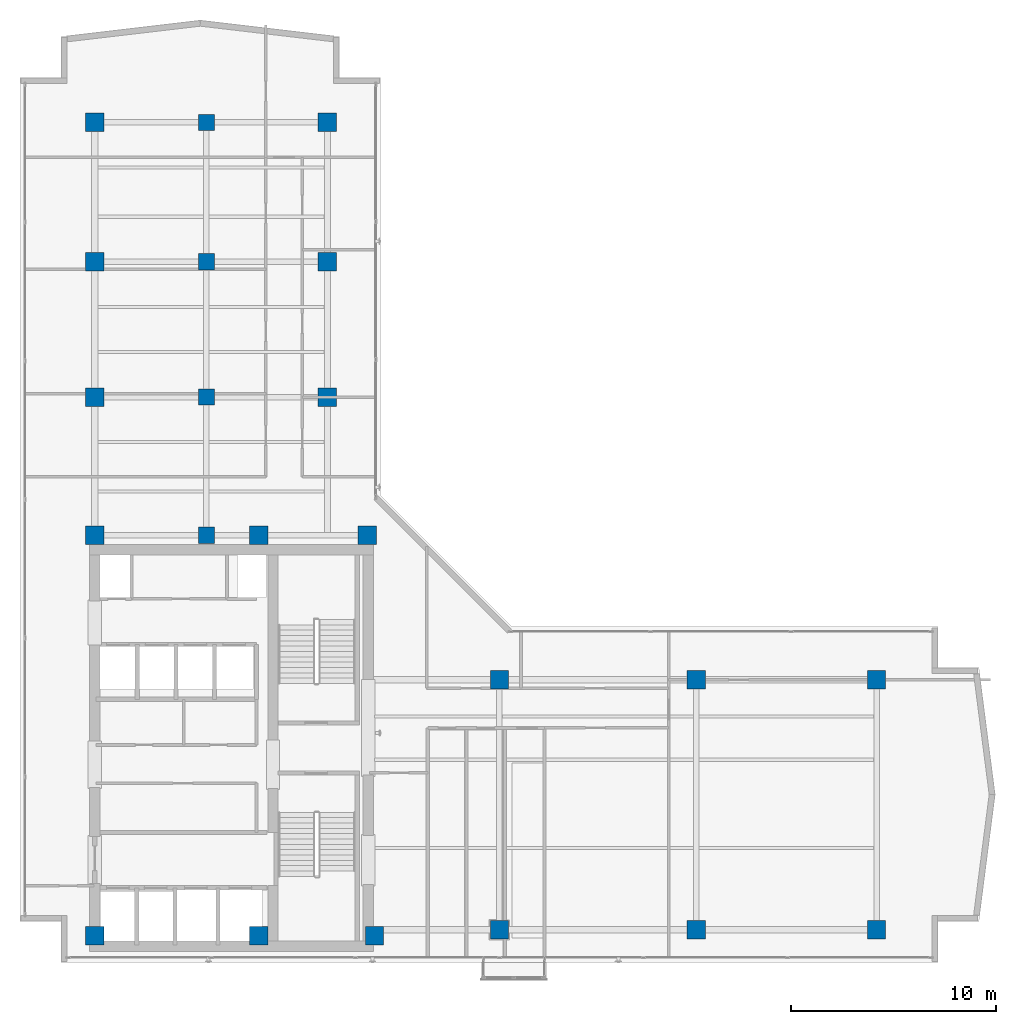
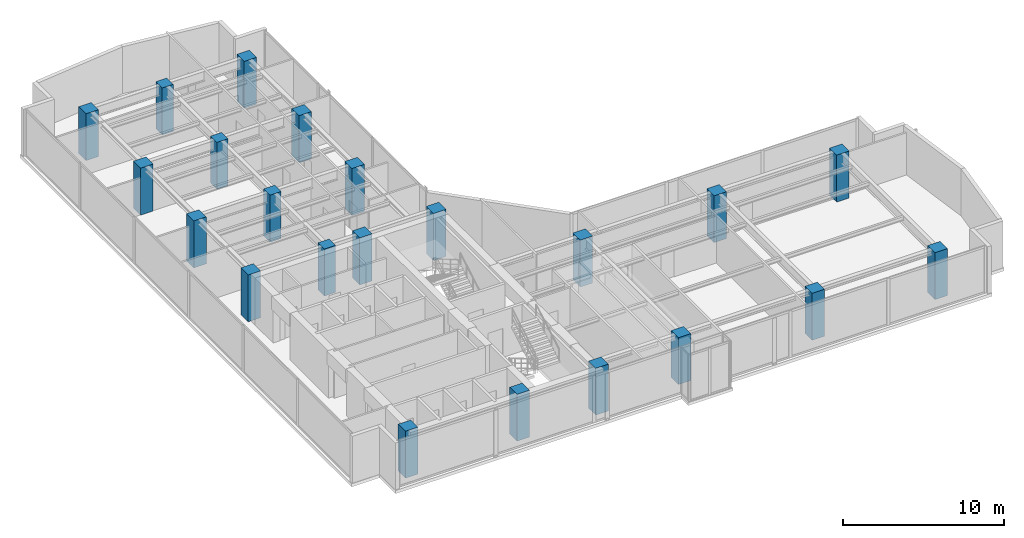
# One storey, part 1 of 22: 22 columns.
"""IFC4 building model written with IfcOpenShell, lengths in metres."""

import ifcopenshell
import ifcopenshell.guid

model = None  # the IFC model being written
_history = None  # IfcOwnerHistory: only IFC2X3 demands one
_inside = {}  # id of a spatial element -> (the spatial element, [elements in it])
_under = {}  # id of a project, library or spatial element -> (it, [spatial elements below it])
_declared = {}  # id of a project -> (the project, [libraries it declares])
_typed = {}  # id of a type object -> (the type object, [elements of that type])
_made_of = {}  # id of a material, layer set ... -> (it, [elements and type objects made of it])


def new_model(schema):
    """Start an empty IFC model of exactly this schema.

    Asked for "IFC4X3", IfcOpenShell would pick the latest addendum, in which some entities
    have other attributes; the version numbers below select the first issue.
    IFC2X3 requires an IfcOwnerHistory on every rooted entity: one is made here for all.
    """
    global model, _history
    if schema == "IFC4X3":
        model = ifcopenshell.file(schema_version=(4, 3, 0, 0))
    else:
        model = ifcopenshell.file(schema=schema)
    _inside.clear()
    _under.clear()
    _declared.clear()
    _typed.clear()
    _made_of.clear()
    _history = None
    if model.schema == "IFC2X3":
        org = make("IfcOrganization", Name="unknown")
        user = make(
            "IfcPersonAndOrganization",
            ThePerson=make("IfcPerson", FamilyName="unknown"),
            TheOrganization=org,
        )
        app = make(
            "IfcApplication",
            ApplicationDeveloper=org,
            Version="unknown",
            ApplicationFullName="unknown",
            ApplicationIdentifier="unknown",
        )
        _history = make(
            "IfcOwnerHistory",
            OwningUser=user,
            OwningApplication=app,
            ChangeAction="ADDED",
            CreationDate=0,
        )
    return model


def make(cls, **values):
    """One entity of the class cls with the attributes given. An attribute that is None is left unset."""
    return model.create_entity(
        cls, **{name: value for name, value in values.items() if value is not None}
    )


def rooted(cls, **values):
    """An entity with a GlobalId (a new one), such as an element, a storey or a relation."""
    return make(cls, GlobalId=ifcopenshell.guid.new(), OwnerHistory=_history, **values)


def si_unit(unit_type, name, prefix=None):
    """IfcSIUnit, for example si_unit("LENGTHUNIT", "METRE", prefix="MILLI")."""
    return make("IfcSIUnit", UnitType=unit_type, Prefix=prefix, Name=name)


def assignment(units):
    """IfcUnitAssignment: the units of a project."""
    return None if units is None else make("IfcUnitAssignment", Units=units)


def point(xyz):
    """IfcCartesianPoint."""
    return None if xyz is None else make("IfcCartesianPoint", Coordinates=xyz)


def direction(xyz):
    """IfcDirection."""
    return None if xyz is None else make("IfcDirection", DirectionRatios=xyz)


def frame(location, z_axis=None, x_axis=None):
    """IfcAxis2Placement3D, a coordinate frame: its origin and axes. An axis left out is left unset."""
    return make(
        "IfcAxis2Placement3D",
        Location=point(location),
        Axis=direction(z_axis),
        RefDirection=direction(x_axis),
    )


def frame_2d(location, x_axis=None):
    """IfcAxis2Placement2D, a coordinate frame in the plane: its origin and x axis."""
    return make(
        "IfcAxis2Placement2D", Location=point(location), RefDirection=direction(x_axis)
    )


def origin():
    """The frame at (0, 0, 0) with its axes left unset."""
    return frame((0.0, 0.0, 0.0))


def origin_2d():
    """The frame at (0, 0) in the plane with its x axis left unset."""
    return frame_2d((0.0, 0.0))


def place(relative_to, where):
    """IfcLocalPlacement: puts the frame where relative to a parent placement (None: the world)."""
    return make(
        "IfcLocalPlacement", PlacementRelTo=relative_to, RelativePlacement=where
    )


def context(
    kind, dimensions, precision=None, world=None, true_north=None, identifier=None
):
    """IfcGeometricRepresentationContext, for example the 3D "Model" context."""
    return make(
        "IfcGeometricRepresentationContext",
        ContextIdentifier=identifier,
        ContextType=kind,
        CoordinateSpaceDimension=dimensions,
        Precision=precision,
        WorldCoordinateSystem=world,
        TrueNorth=true_north,
    )


def subcontext(parent, identifier, kind, view, scale=None):
    """IfcGeometricRepresentationSubContext, for example "Body" below "Model"."""
    return make(
        "IfcGeometricRepresentationSubContext",
        ContextIdentifier=identifier,
        ContextType=kind,
        ParentContext=parent,
        TargetScale=scale,
        TargetView=view,
    )


def project(units=None, contexts=None):
    """IfcProject with its units and contexts."""
    return rooted(
        "IfcProject",
        Name="project",
        RepresentationContexts=contexts,
        UnitsInContext=assignment(units),
    )


def spatial(cls, under=None, at=None, **own):
    """A site, building, storey or space (cls), placed at a placement, below another one or the project."""
    s = rooted(cls, ObjectPlacement=at, **own)
    if under is not None:
        _under.setdefault(under.id(), (under, []))[1].append(s)
    return s


def profile(cls, at=None, kind="AREA", **sizes):
    """A parametric profile (cls). Its sizes go by their IFC names, for example OverallWidth=200.0."""
    return make(cls, ProfileType=kind, Position=at, **sizes)


def rectangle(**sizes):
    """IfcRectangleProfileDef."""
    return profile("IfcRectangleProfileDef", **sizes)


def extrude(swept, where, along, depth):
    """IfcExtrudedAreaSolid: the profile swept, set in the frame where, extruded along a direction by depth."""
    return make(
        "IfcExtrudedAreaSolid",
        SweptArea=swept,
        Position=where,
        ExtrudedDirection=direction(along),
        Depth=depth,
    )


def shape(context_of_items, identifier, shape_type, items):
    """IfcShapeRepresentation: the items that make up one representation, for example the "Body"."""
    return make(
        "IfcShapeRepresentation",
        ContextOfItems=context_of_items,
        RepresentationIdentifier=identifier,
        RepresentationType=shape_type,
        Items=items,
    )


def material(Name=None, Category=None):
    """IfcMaterial."""
    return make("IfcMaterial", Name=Name, Category=Category)


def material_profile(
    of_material, cross_section, Name=None, Category=None, Priority=None
):
    """IfcMaterialProfile: a cross section and its material."""
    return make(
        "IfcMaterialProfile",
        Name=Name,
        Material=of_material,
        Profile=cross_section,
        Priority=Priority,
        Category=Category,
    )


def profile_set(profiles, Name=None, composite=None):
    """IfcMaterialProfileSet."""
    return make(
        "IfcMaterialProfileSet",
        Name=Name,
        MaterialProfiles=profiles,
        CompositeProfile=composite,
    )


def made_of(thing, what):
    """Note that an element or type object is made of a material, layer set ...; save() writes the relation."""
    if what is not None:
        _made_of.setdefault(what.id(), (what, []))[1].append(thing)
    return thing


def type_object(cls, material=None, **own):
    """A type object (cls), such as IfcWallType, which elements share."""
    return made_of(rooted(cls, **own), material)


def element(
    cls,
    number,
    at=None,
    inside=None,
    cuts=None,
    type_object=None,
    material=None,
    context=None,
    identifier="Body",
    shape_type=None,
    held_by="IfcProductDefinitionShape",
    body=None,
    shapes=None,
    **own,
):
    """One element of the class cls, such as IfcWall. Its Tag is "e" and its number.

    at: its placement. inside: the storey or other place that contains it. cuts: it is an
    opening in that element (IfcRelVoidsElement). A single representation is given by context,
    identifier, shape_type and body (its items); several are given by shapes. held_by: the class
    of the entity that holds the representations. save() writes the other relations.
    """
    e = rooted(cls, Tag="e%d" % number, ObjectPlacement=at, **own)
    if body is not None:
        shapes = [shape(context, identifier, shape_type, body)]
    if shapes is not None:
        e.Representation = make(held_by, Representations=shapes)
    if inside is not None:
        _inside.setdefault(inside.id(), (inside, []))[1].append(e)
    if cuts is not None:
        rooted(
            "IfcRelVoidsElement", RelatingBuildingElement=cuts, RelatedOpeningElement=e
        )
    if type_object is not None:
        _typed.setdefault(type_object.id(), (type_object, []))[1].append(e)
    return made_of(e, material)


def aggregate(whole, parts):
    """IfcRelAggregates: a whole, such as a stair, and the parts it consists of."""
    return rooted("IfcRelAggregates", RelatingObject=whole, RelatedObjects=parts)


def save(model, path):
    """Write the relations noted so far, then the file.

    IfcRelAggregates (storeys below a building ...), IfcRelContainedInSpatialStructure (elements
    in a storey), IfcRelDefinesByType, IfcRelAssociatesMaterial and IfcRelDeclares: one each for
    every whole, place, type object, material and project.
    """
    for whole, parts in _under.values():
        aggregate(whole, parts)
    for where, things in _inside.values():
        rooted(
            "IfcRelContainedInSpatialStructure",
            RelatedElements=things,
            RelatingStructure=where,
        )
    for kind, things in _typed.values():
        rooted("IfcRelDefinesByType", RelatedObjects=things, RelatingType=kind)
    for what, things in _made_of.values():
        rooted("IfcRelAssociatesMaterial", RelatedObjects=things, RelatingMaterial=what)
    for by, libraries in _declared.values():
        rooted("IfcRelDeclares", RelatingContext=by, RelatedDefinitions=libraries)
    model.write(path)


model = new_model("IFC4")

# Units and contexts
model_context = context("Model", 3, precision=1e-05, world=origin(), true_north=direction((0.0, 1.0)))
body_context = subcontext(model_context, "Body", "Model", "MODEL_VIEW")
ifc_project = project(units=[si_unit("LENGTHUNIT", "METRE"), si_unit("AREAUNIT", "SQUARE_METRE"), si_unit("VOLUMEUNIT", "CUBIC_METRE"), si_unit("PLANEANGLEUNIT", "RADIAN"), si_unit("MASSUNIT", "GRAM", prefix="KILO")], contexts=[model_context])

# Site, building, storey
site_placement = place(None, origin())
site = spatial("IfcSite", under=ifc_project, at=site_placement, CompositionType="ELEMENT")
building_placement = place(site_placement, origin())
building = spatial("IfcBuilding", under=site, at=building_placement, Name="Kolvaren Waterfront Exchange", CompositionType="ELEMENT")
storey_placement = place(building_placement, frame((0.0, 0.0, 262.800048828125)))
storey = spatial("IfcBuildingStorey", under=building, at=storey_placement, Name="L67", CompositionType="ELEMENT", Elevation=262.800048828125)

# Columns
ifc_material = material(Name="Concrete C50/60", Category="concrete")
ifc_material_profile_1 = material_profile(ifc_material, rectangle(XDim=0.800048828125, YDim=0.800048828125, at=origin_2d()), Name="RC-COL-800x800")
ifc_profile_set_1 = profile_set([ifc_material_profile_1], Name="Concrete C50/60")
column_type_1 = type_object("IfcColumnType", Name="STR-COL-800-C50", PredefinedType="COLUMN", material=ifc_profile_set_1)
for number, where, z_axis, x_axis, name in (
    (1, (12.89990234375, 24.449951171875, 0.0), (0.0, 0.0, 1.0), (1.0, 0.0, 0.0), "L67 column TC01"),
    (2, (12.89990234375, 31.199951171875, 0.0), (0.0, 0.0, 1.0), (1.0, 0.0, 0.0), "L67 column TC02"),
    (3, (12.89990234375, 37.800048828125, 0.0), (0.0, 0.0, 1.0), (1.0, 0.0, 0.0), "L67 column TC03"),
    (4, (12.89990234375, 44.60009765625, 0.0), (0.0, 0.0, 1.0), (1.0, 0.0, 0.0), "L67 column TC04"),
):
    element("IfcColumn", number, at=place(storey_placement, frame(where, z_axis=z_axis, x_axis=x_axis)), inside=storey, type_object=column_type_1, Name=name, PredefinedType="COLUMN", context=body_context, shape_type="SweptSolid", body=[
        extrude(rectangle(XDim=0.800048828125, YDim=0.800048828125, at=origin_2d()), origin(), (0.0, 0.0, 1.0), 3.56005859375),
    ])
ifc_material_profile_2 = material_profile(ifc_material, rectangle(XDim=0.89990234375, YDim=0.89990234375, at=origin_2d()), Name="RC-COL-900x900")
ifc_profile_set_2 = profile_set([ifc_material_profile_2], Name="Concrete C50/60")
column_type_2 = type_object("IfcColumnType", Name="STR-COL-900-C50", PredefinedType="COLUMN", material=ifc_profile_set_2)
for number, where, z_axis, x_axis, name in (
    (5, (7.449951171875, 4.89990234375, 0.0), (0.0, 0.0, 1.0), (1.0, 0.0, 0.0), "L67 column MC01"),
    (6, (15.449951171875, 4.89990234375, 0.0), (0.0, 0.0, 1.0), (1.0, 0.0, 0.0), "L67 column MC02"),
    (7, (21.10009765625, 4.89990234375, 0.0), (0.0, 0.0, 1.0), (1.0, 0.0, 0.0), "L67 column MC03"),
    (8, (7.449951171875, 24.449951171875, 0.0), (0.0, 0.0, 1.0), (1.0, 0.0, 0.0), "L67 column MC04"),
    (9, (15.449951171875, 24.449951171875, 0.0), (0.0, 0.0, 1.0), (1.0, 0.0, 0.0), "L67 column MC05"),
    (10, (20.75, 24.449951171875, 0.0), (0.0, 0.0, 1.0), (1.0, 0.0, 0.0), "L67 column MC06"),
    (11, (7.449951171875, 31.199951171875, 0.0), (0.0, 0.0, 1.0), (1.0, 0.0, 0.0), "L67 column NC01"),
    (12, (7.449951171875, 37.800048828125, 0.0), (0.0, 0.0, 1.0), (1.0, 0.0, 0.0), "L67 column NC02"),
    (13, (7.449951171875, 44.60009765625, 0.0), (0.0, 0.0, 1.0), (1.0, 0.0, 0.0), "L67 column NC03"),
    (14, (18.800048828125, 31.199951171875, 0.0), (0.0, 0.0, 1.0), (1.0, 0.0, 0.0), "L67 column NC04"),
    (15, (18.800048828125, 37.800048828125, 0.0), (0.0, 0.0, 1.0), (1.0, 0.0, 0.0), "L67 column NC05"),
    (16, (18.800048828125, 44.60009765625, 0.0), (0.0, 0.0, 1.0), (1.0, 0.0, 0.0), "L67 column NC06"),
    (17, (27.199951171875, 5.199951171875, 0.0), (0.0, 0.0, 1.0), (1.0, 0.0, 0.0), "L67 column EC01"),
    (18, (36.800048828125, 5.199951171875, 0.0), (0.0, 0.0, 1.0), (1.0, 0.0, 0.0), "L67 column EC02"),
    (19, (45.60009765625, 5.199951171875, 0.0), (0.0, 0.0, 1.0), (1.0, 0.0, 0.0), "L67 column EC03"),
    (20, (27.199951171875, 17.39990234375, 0.0), (0.0, 0.0, 1.0), (1.0, 0.0, 0.0), "L67 column EC04"),
    (21, (36.800048828125, 17.39990234375, 0.0), (0.0, 0.0, 1.0), (1.0, 0.0, 0.0), "L67 column EC05"),
    (22, (45.60009765625, 17.39990234375, 0.0), (0.0, 0.0, 1.0), (1.0, 0.0, 0.0), "L67 column EC06"),
):
    element("IfcColumn", number, at=place(storey_placement, frame(where, z_axis=z_axis, x_axis=x_axis)), inside=storey, type_object=column_type_2, Name=name, PredefinedType="COLUMN", context=body_context, shape_type="SweptSolid", body=[
        extrude(rectangle(XDim=0.89990234375, YDim=0.89990234375, at=origin_2d()), origin(), (0.0, 0.0, 1.0), 3.56005859375),
    ])

save(model, "model.ifc")
